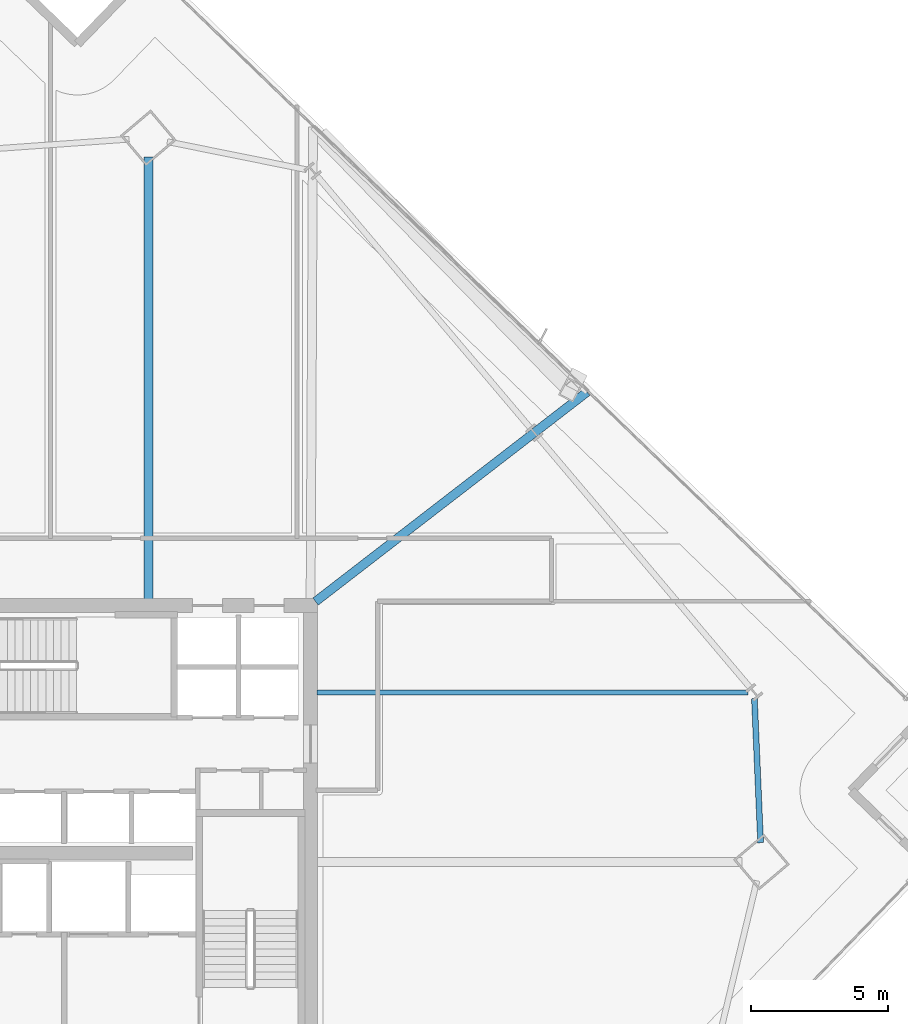
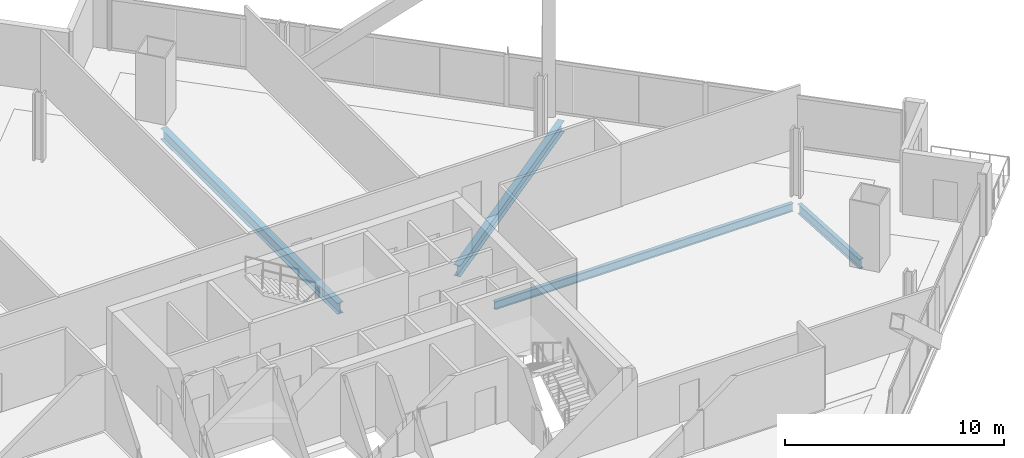
# One storey, part 20 of 33: 4 beams.
"""IFC4 building model written with IfcOpenShell, lengths in metres."""

from ifc_helpers import new_model, si_unit, direction, frame, origin, origin_2d, place, context, subcontext, project, spatial, i_section, extrude, material, material_profile, profile_set, type_object, element, save


model = new_model("IFC4")

# Units and contexts
model_context = context("Model", 3, precision=1e-05, world=origin(), true_north=direction((0.0, 1.0)))
body_context = subcontext(model_context, "Body", "Model", "MODEL_VIEW")
ifc_project = project(units=[si_unit("LENGTHUNIT", "METRE"), si_unit("AREAUNIT", "SQUARE_METRE"), si_unit("VOLUMEUNIT", "CUBIC_METRE"), si_unit("PLANEANGLEUNIT", "RADIAN"), si_unit("MASSUNIT", "GRAM", prefix="KILO")], contexts=[model_context])

# Site, building, storey
site_placement = place(None, origin())
site = spatial("IfcSite", under=ifc_project, at=site_placement, CompositionType="ELEMENT")
building_placement = place(site_placement, origin())
building = spatial("IfcBuilding", under=site, at=building_placement, Name="Haldenkirk Collegiate Tower", CompositionType="ELEMENT")
storey_placement = place(building_placement, frame((0.0, 0.0, 181.949951171875)))
storey = spatial("IfcBuildingStorey", under=building, at=storey_placement, Name="L45", CompositionType="ELEMENT", Elevation=181.949951171875)

# Beams
ifc_material = material(Name="Steel ASTM A992 Grade 50", Category="steel")
ifc_material_profile_1 = material_profile(ifc_material, i_section(OverallWidth=0.324951171875, OverallDepth=0.615966796875, WebThickness=0.013916015625, FlangeThickness=0.021484375, at=origin_2d()), Name="W24X117")
ifc_profile_set_1 = profile_set([ifc_material_profile_1], Name="Steel ASTM A992 Grade 50")
beam_type_1 = type_object("IfcBeamType", Name="BM-GIRDER-W24X117", PredefinedType="BEAM", material=ifc_profile_set_1)
beam_1_placement = place(storey_placement, frame((39.076904296875, 50.3701171875, -0.597900390625), z_axis=(0.0, -1.0, 0.0), x_axis=(1.0, 0.0, 0.0)))
element("IfcBeam", 1, at=beam_1_placement, inside=storey, type_object=beam_type_1, Name="L45 primary floor girder 03", PredefinedType="BEAM", context=body_context, shape_type="SweptSolid", body=[
    extrude(i_section(OverallWidth=0.324951171875, OverallDepth=0.615966796875, WebThickness=0.013916015625, FlangeThickness=0.021484375, at=origin_2d()), origin(), (0.0, 0.0, 1.0), 16.14013671875),
])
beam_2_placement = place(storey_placement, frame((55.099609375, 41.795654296875, -0.597900390625), z_axis=(-0.791602888731, -0.611035896289, 0.0), x_axis=(0.611035896289, -0.791602888731, 0.0)))
element("IfcBeam", 2, at=beam_2_placement, inside=storey, type_object=beam_type_1, Name="L45 primary floor girder 09", PredefinedType="BEAM", context=body_context, shape_type="SweptSolid", body=[
    extrude(i_section(OverallWidth=0.324951171875, OverallDepth=0.615966796875, WebThickness=0.013916015625, FlangeThickness=0.021484375, at=origin_2d()), origin(), (0.0, 0.0, 1.0), 12.5283203125),
])
ifc_material_profile_2 = material_profile(ifc_material, i_section(OverallWidth=0.18994140625, OverallDepth=0.45703125, WebThickness=0.009033203125, FlangeThickness=0.014404296875, at=origin_2d()), Name="W18X50")
ifc_profile_set_2 = profile_set([ifc_material_profile_2], Name="Steel ASTM A992 Grade 50")
beam_type_2 = type_object("IfcBeamType", Name="BM-JOIST-W18X50", PredefinedType="JOIST", material=ifc_profile_set_2)
beam_3_placement = place(storey_placement, frame((60.970458984375, 30.82421875, -0.5185546875), z_axis=(-1.0, 0.0, 0.0), x_axis=(0.0, -1.0, 0.0)))
element("IfcBeam", 3, at=beam_3_placement, inside=storey, type_object=beam_type_2, Name="L45 composite floor joist 08", PredefinedType="JOIST", context=body_context, shape_type="SweptSolid", body=[
    extrude(i_section(OverallWidth=0.18994140625, OverallDepth=0.45703125, WebThickness=0.009033203125, FlangeThickness=0.014404296875, at=origin_2d()), origin(), (0.0, 0.0, 1.0), 15.740478515625),
])
ifc_material_profile_3 = material_profile(ifc_material, i_section(OverallWidth=0.2119140625, OverallDepth=0.5439453125, WebThickness=0.01318359375, FlangeThickness=0.021240234375, at=origin_2d()), Name="W21X83")
ifc_profile_set_3 = profile_set([ifc_material_profile_3], Name="Steel ASTM A992 Grade 50")
beam_type_3 = type_object("IfcBeamType", Name="BM-SPANDREL-W21X83", PredefinedType="SPANDREL", material=ifc_profile_set_3)
beam_4_placement = place(storey_placement, frame((61.434814453125, 25.33349609375, -0.56201171875), z_axis=(-0.042833703015, 0.999082215779, 0.0), x_axis=(-0.999082215779, -0.042833703015, 0.0)))
element("IfcBeam", 4, at=beam_4_placement, inside=storey, type_object=beam_type_3, Name="L45 perimeter spandrel beam 05", PredefinedType="SPANDREL", context=body_context, shape_type="SweptSolid", body=[
    extrude(i_section(OverallWidth=0.2119140625, OverallDepth=0.5439453125, WebThickness=0.01318359375, FlangeThickness=0.021240234375, at=origin_2d()), origin(), (0.0, 0.0, 1.0), 5.2666015625),
])

save(model, "model.ifc")
